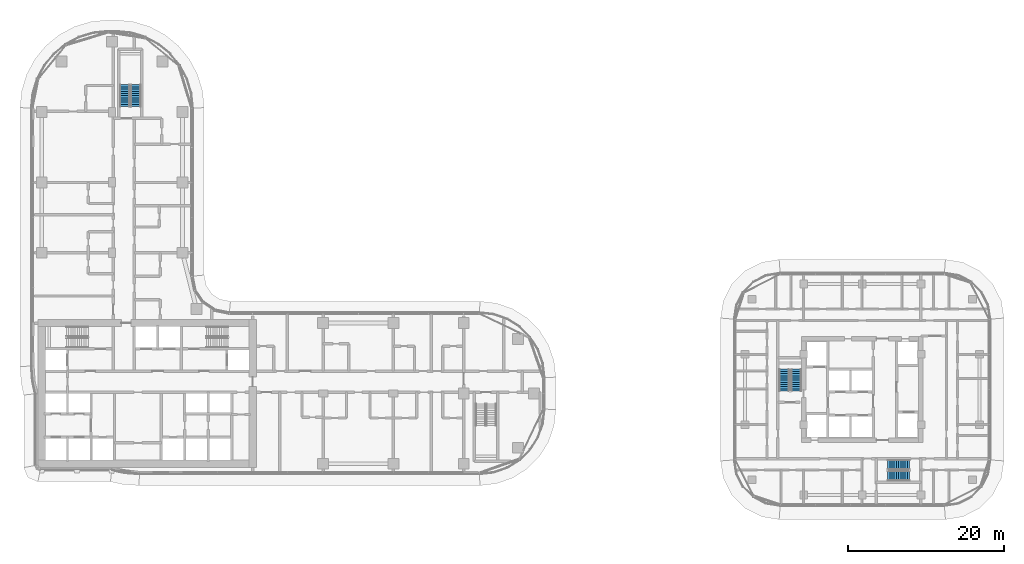
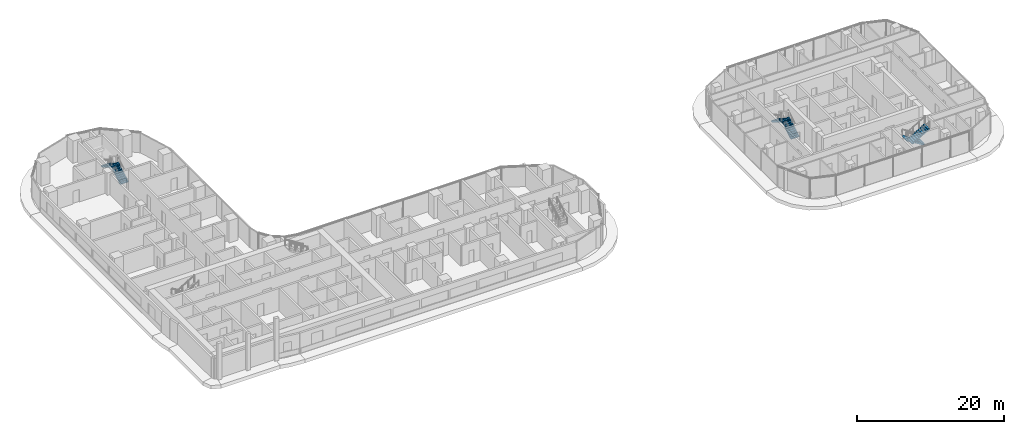
# One storey, part 30 of 39: 6 stair flights, 3 elements without a shape of their own.
"""IFC4 building model written with IfcOpenShell, lengths in metres."""

from ifc_helpers import new_model, si_unit, direction, frame, origin, place, context, subcontext, project, spatial, triangles, source, transform, mapped, material, type_object, element, aggregate, save


model = new_model("IFC4")

# Units and contexts
model_context = context("Model", 3, precision=1e-05, world=origin(), true_north=direction((0.0, 1.0)))
body_context = subcontext(model_context, "Body", "Model", "MODEL_VIEW")
ifc_project = project(units=[si_unit("LENGTHUNIT", "METRE"), si_unit("AREAUNIT", "SQUARE_METRE"), si_unit("VOLUMEUNIT", "CUBIC_METRE"), si_unit("PLANEANGLEUNIT", "RADIAN"), si_unit("MASSUNIT", "GRAM", prefix="KILO")], contexts=[model_context])

# Site, building, storey
site_placement = place(None, origin())
site = spatial("IfcSite", under=ifc_project, at=site_placement, CompositionType="ELEMENT")
building_placement = place(site_placement, origin())
building = spatial("IfcBuilding", under=site, at=building_placement, Name="Ogive Portal Towers", CompositionType="ELEMENT")
storey_placement = place(building_placement, frame((0.0, 0.0, 44.60009765625)))
storey = spatial("IfcBuildingStorey", under=building, at=storey_placement, Name="L09", CompositionType="ELEMENT", Elevation=44.60009765625)

# Stair, stair flights
ifc_material = material(Name="Concrete C40/50", Category="concrete")
stair_type = type_object("IfcStairType", Name="INT-STAIR", PredefinedType="HALF_TURN_STAIR", material=ifc_material)
stair_1_placement = place(storey_placement, origin())
stair_1 = element("IfcStair", 1, at=stair_1_placement, inside=storey, type_object=stair_type, Name="L09 Exit Stair ST-A3", PredefinedType="HALF_TURN_STAIR")
stair_flight_type = type_object("IfcStairFlightType", Name="INT-FLIGHT", PredefinedType="STRAIGHT", material=ifc_material)
shared_shape = source(origin(), body_context, "Body", "Tessellation", [
    triangles([(0.0, -0.650146484375, 0.0), (0.0, -0.376220703125, 0.0), (0.0, -0.192626953125, 0.0), (0.0, -0.081298828125, 0.0), (0.0, -0.024169921875, 0.0), (0.0, -0.003173828125, 0.0), (0.0, 0.0, 0.0), (0.0, 0.0029296875, 0.0), (0.0, 0.02392578125, 0.0), (0.0, 0.0810546875, 0.0), (0.0, 0.1923828125, 0.0), (0.0, 0.3759765625, 0.0), (0.0, 0.64990234375, 0.0), (0.0, -0.650146484375, 0.168212890625), (0.0, -0.376220703125, 0.168212890625), (0.0, -0.192626953125, 0.168212890625), (0.0, -0.081298828125, 0.168212890625), (0.0, -0.024169921875, 0.168212890625), (0.0, -0.003173828125, 0.168212890625), (0.0, 0.0, 0.168212890625), (0.0, 0.0029296875, 0.168212890625), (0.0, 0.02392578125, 0.168212890625), (0.0, 0.0810546875, 0.168212890625), (0.0, 0.1923828125, 0.168212890625), (0.0, 0.3759765625, 0.168212890625), (0.0, 0.64990234375, 0.168212890625), (0.280029296875, -0.650146484375, 0.168212890625), (0.280029296875, -0.376220703125, 0.168212890625), (0.280029296875, -0.192626953125, 0.168212890625), (0.280029296875, -0.081298828125, 0.168212890625), (0.280029296875, -0.024169921875, 0.168212890625), (0.280029296875, -0.003173828125, 0.168212890625), (0.280029296875, 0.0, 0.168212890625), (0.280029296875, 0.0029296875, 0.168212890625), (0.280029296875, 0.02392578125, 0.168212890625), (0.280029296875, 0.0810546875, 0.168212890625), (0.280029296875, 0.1923828125, 0.168212890625), (0.280029296875, 0.3759765625, 0.168212890625), (0.280029296875, 0.64990234375, 0.168212890625), (0.280029296875, -0.650146484375, 0.33642578125), (0.280029296875, -0.376220703125, 0.33642578125), (0.280029296875, -0.192626953125, 0.33642578125), (0.280029296875, -0.081298828125, 0.33642578125), (0.280029296875, -0.024169921875, 0.33642578125), (0.280029296875, -0.003173828125, 0.33642578125), (0.280029296875, 0.0, 0.33642578125), (0.280029296875, 0.0029296875, 0.33642578125), (0.280029296875, 0.02392578125, 0.33642578125), (0.280029296875, 0.0810546875, 0.33642578125), (0.280029296875, 0.1923828125, 0.33642578125), (0.280029296875, 0.3759765625, 0.33642578125), (0.280029296875, 0.64990234375, 0.33642578125), (0.56005859375, -0.650146484375, 0.33642578125), (0.56005859375, -0.376220703125, 0.33642578125), (0.56005859375, -0.192626953125, 0.33642578125), (0.56005859375, -0.081298828125, 0.33642578125), (0.56005859375, -0.024169921875, 0.33642578125), (0.56005859375, -0.003173828125, 0.33642578125), (0.56005859375, 0.0, 0.33642578125), (0.56005859375, 0.0029296875, 0.33642578125), (0.56005859375, 0.02392578125, 0.33642578125), (0.56005859375, 0.0810546875, 0.33642578125), (0.56005859375, 0.1923828125, 0.33642578125), (0.56005859375, 0.3759765625, 0.33642578125), (0.56005859375, 0.64990234375, 0.33642578125), (0.56005859375, -0.650146484375, 0.504638671875), (0.56005859375, -0.376220703125, 0.504638671875), (0.56005859375, -0.192626953125, 0.504638671875), (0.56005859375, -0.081298828125, 0.504638671875), (0.56005859375, -0.024169921875, 0.504638671875), (0.56005859375, -0.003173828125, 0.504638671875), (0.56005859375, 0.0, 0.504638671875), (0.56005859375, 0.0029296875, 0.504638671875), (0.56005859375, 0.02392578125, 0.504638671875), (0.56005859375, 0.0810546875, 0.504638671875), (0.56005859375, 0.1923828125, 0.504638671875), (0.56005859375, 0.3759765625, 0.504638671875), (0.56005859375, 0.64990234375, 0.504638671875), (0.840087890625, -0.650146484375, 0.504638671875), (0.840087890625, -0.376220703125, 0.504638671875), (0.840087890625, -0.192626953125, 0.504638671875), (0.840087890625, -0.081298828125, 0.504638671875), (0.840087890625, -0.024169921875, 0.504638671875), (0.840087890625, -0.003173828125, 0.504638671875), (0.840087890625, 0.0, 0.504638671875), (0.840087890625, 0.0029296875, 0.504638671875), (0.840087890625, 0.02392578125, 0.504638671875), (0.840087890625, 0.0810546875, 0.504638671875), (0.840087890625, 0.1923828125, 0.504638671875), (0.840087890625, 0.3759765625, 0.504638671875), (0.840087890625, 0.64990234375, 0.504638671875), (0.840087890625, -0.650146484375, 0.672607421875), (0.840087890625, -0.376220703125, 0.672607421875), (0.840087890625, -0.192626953125, 0.672607421875), (0.840087890625, -0.081298828125, 0.672607421875), (0.840087890625, -0.024169921875, 0.672607421875), (0.840087890625, -0.003173828125, 0.672607421875), (0.840087890625, 0.0, 0.672607421875), (0.840087890625, 0.0029296875, 0.672607421875), (0.840087890625, 0.02392578125, 0.672607421875), (0.840087890625, 0.0810546875, 0.672607421875), (0.840087890625, 0.1923828125, 0.672607421875), (0.840087890625, 0.3759765625, 0.672607421875), (0.840087890625, 0.64990234375, 0.672607421875), (1.1201171875, -0.650146484375, 0.672607421875), (1.1201171875, -0.376220703125, 0.672607421875), (1.1201171875, -0.192626953125, 0.672607421875), (1.1201171875, -0.081298828125, 0.672607421875), (1.1201171875, -0.024169921875, 0.672607421875), (1.1201171875, -0.003173828125, 0.672607421875), (1.1201171875, 0.0, 0.672607421875), (1.1201171875, 0.0029296875, 0.672607421875), (1.1201171875, 0.02392578125, 0.672607421875), (1.1201171875, 0.0810546875, 0.672607421875), (1.1201171875, 0.1923828125, 0.672607421875), (1.1201171875, 0.3759765625, 0.672607421875), (1.1201171875, 0.64990234375, 0.672607421875), (1.1201171875, -0.650146484375, 0.8408203125), (1.1201171875, -0.376220703125, 0.8408203125), (1.1201171875, -0.192626953125, 0.8408203125), (1.1201171875, -0.081298828125, 0.8408203125), (1.1201171875, -0.024169921875, 0.8408203125), (1.1201171875, -0.003173828125, 0.8408203125), (1.1201171875, 0.0, 0.8408203125), (1.1201171875, 0.0029296875, 0.8408203125), (1.1201171875, 0.02392578125, 0.8408203125), (1.1201171875, 0.0810546875, 0.8408203125), (1.1201171875, 0.1923828125, 0.8408203125), (1.1201171875, 0.3759765625, 0.8408203125), (1.1201171875, 0.64990234375, 0.8408203125), (1.39990234375, -0.650146484375, 0.8408203125), (1.39990234375, -0.376220703125, 0.8408203125), (1.39990234375, -0.192626953125, 0.8408203125), (1.39990234375, -0.081298828125, 0.8408203125), (1.39990234375, -0.024169921875, 0.8408203125), (1.39990234375, -0.003173828125, 0.8408203125), (1.39990234375, 0.0, 0.8408203125), (1.39990234375, 0.0029296875, 0.8408203125), (1.39990234375, 0.02392578125, 0.8408203125), (1.39990234375, 0.0810546875, 0.8408203125), (1.39990234375, 0.1923828125, 0.8408203125), (1.39990234375, 0.3759765625, 0.8408203125), (1.39990234375, 0.64990234375, 0.8408203125), (1.39990234375, -0.650146484375, 1.009033203125), (1.39990234375, -0.376220703125, 1.009033203125), (1.39990234375, -0.192626953125, 1.009033203125), (1.39990234375, -0.081298828125, 1.009033203125), (1.39990234375, -0.024169921875, 1.009033203125), (1.39990234375, -0.003173828125, 1.009033203125), (1.39990234375, 0.0, 1.009033203125), (1.39990234375, 0.0029296875, 1.009033203125), (1.39990234375, 0.02392578125, 1.009033203125), (1.39990234375, 0.0810546875, 1.009033203125), (1.39990234375, 0.1923828125, 1.009033203125), (1.39990234375, 0.3759765625, 1.009033203125), (1.39990234375, 0.64990234375, 1.009033203125), (1.679931640625, -0.650146484375, 1.009033203125), (1.679931640625, -0.376220703125, 1.009033203125), (1.679931640625, -0.192626953125, 1.009033203125), (1.679931640625, -0.081298828125, 1.009033203125), (1.679931640625, -0.024169921875, 1.009033203125), (1.679931640625, -0.003173828125, 1.009033203125), (1.679931640625, 0.0, 1.009033203125), (1.679931640625, 0.0029296875, 1.009033203125), (1.679931640625, 0.02392578125, 1.009033203125), (1.679931640625, 0.0810546875, 1.009033203125), (1.679931640625, 0.1923828125, 1.009033203125), (1.679931640625, 0.3759765625, 1.009033203125), (1.679931640625, 0.64990234375, 1.009033203125), (1.679931640625, -0.650146484375, 1.17724609375), (1.679931640625, -0.376220703125, 1.17724609375), (1.679931640625, -0.192626953125, 1.17724609375), (1.679931640625, -0.081298828125, 1.17724609375), (1.679931640625, -0.024169921875, 1.17724609375), (1.679931640625, -0.003173828125, 1.17724609375), (1.679931640625, 0.0, 1.17724609375), (1.679931640625, 0.0029296875, 1.17724609375), (1.679931640625, 0.02392578125, 1.17724609375), (1.679931640625, 0.0810546875, 1.17724609375), (1.679931640625, 0.1923828125, 1.17724609375), (1.679931640625, 0.3759765625, 1.17724609375), (1.679931640625, 0.64990234375, 1.17724609375), (1.9599609375, -0.650146484375, 1.17724609375), (1.9599609375, -0.376220703125, 1.17724609375), (1.9599609375, -0.192626953125, 1.17724609375), (1.9599609375, -0.081298828125, 1.17724609375), (1.9599609375, -0.024169921875, 1.17724609375), (1.9599609375, -0.003173828125, 1.17724609375), (1.9599609375, 0.0, 1.17724609375), (1.9599609375, 0.0029296875, 1.17724609375), (1.9599609375, 0.02392578125, 1.17724609375), (1.9599609375, 0.0810546875, 1.17724609375), (1.9599609375, 0.1923828125, 1.17724609375), (1.9599609375, 0.3759765625, 1.17724609375), (1.9599609375, 0.64990234375, 1.17724609375), (1.9599609375, -0.650146484375, 1.345458984375), (1.9599609375, -0.376220703125, 1.345458984375), (1.9599609375, -0.192626953125, 1.345458984375), (1.9599609375, -0.081298828125, 1.345458984375), (1.9599609375, -0.024169921875, 1.345458984375), (1.9599609375, -0.003173828125, 1.345458984375), (1.9599609375, 0.0, 1.345458984375), (1.9599609375, 0.0029296875, 1.345458984375), (1.9599609375, 0.02392578125, 1.345458984375), (1.9599609375, 0.0810546875, 1.345458984375), (1.9599609375, 0.1923828125, 1.345458984375), (1.9599609375, 0.3759765625, 1.345458984375), (1.9599609375, 0.64990234375, 1.345458984375), (2.239990234375, -0.650146484375, 1.345458984375), (2.239990234375, -0.376220703125, 1.345458984375), (2.239990234375, -0.192626953125, 1.345458984375), (2.239990234375, -0.081298828125, 1.345458984375), (2.239990234375, -0.024169921875, 1.345458984375), (2.239990234375, -0.003173828125, 1.345458984375), (2.239990234375, 0.0, 1.345458984375), (2.239990234375, 0.0029296875, 1.345458984375), (2.239990234375, 0.02392578125, 1.345458984375), (2.239990234375, 0.0810546875, 1.345458984375), (2.239990234375, 0.1923828125, 1.345458984375), (2.239990234375, 0.3759765625, 1.345458984375), (2.239990234375, 0.64990234375, 1.345458984375), (2.239990234375, -0.650146484375, 1.513671875), (2.239990234375, -0.376220703125, 1.513671875), (2.239990234375, -0.192626953125, 1.513671875), (2.239990234375, -0.081298828125, 1.513671875), (2.239990234375, -0.024169921875, 1.513671875), (2.239990234375, -0.003173828125, 1.513671875), (2.239990234375, 0.0, 1.513671875), (2.239990234375, 0.0029296875, 1.513671875), (2.239990234375, 0.02392578125, 1.513671875), (2.239990234375, 0.0810546875, 1.513671875), (2.239990234375, 0.1923828125, 1.513671875), (2.239990234375, 0.3759765625, 1.513671875), (2.239990234375, 0.64990234375, 1.513671875), (2.52001953125, -0.650146484375, 1.513671875), (2.52001953125, -0.376220703125, 1.513671875), (2.52001953125, -0.192626953125, 1.513671875), (2.52001953125, -0.081298828125, 1.513671875), (2.52001953125, -0.024169921875, 1.513671875), (2.52001953125, -0.003173828125, 1.513671875), (2.52001953125, 0.0, 1.513671875), (2.52001953125, 0.0029296875, 1.513671875), (2.52001953125, 0.02392578125, 1.513671875), (2.52001953125, 0.0810546875, 1.513671875), (2.52001953125, 0.1923828125, 1.513671875), (2.52001953125, 0.3759765625, 1.513671875), (2.52001953125, 0.64990234375, 1.513671875), (2.52001953125, -0.650146484375, 1.681884765625), (2.52001953125, -0.376220703125, 1.681884765625), (2.52001953125, -0.192626953125, 1.681884765625), (2.52001953125, -0.081298828125, 1.681884765625), (2.52001953125, -0.024169921875, 1.681884765625), (2.52001953125, -0.003173828125, 1.681884765625), (2.52001953125, 0.0, 1.681884765625), (2.52001953125, 0.0029296875, 1.681884765625), (2.52001953125, 0.02392578125, 1.681884765625), (2.52001953125, 0.0810546875, 1.681884765625), (2.52001953125, 0.1923828125, 1.681884765625), (2.52001953125, 0.3759765625, 1.681884765625), (2.52001953125, 0.64990234375, 1.681884765625), (2.800048828125, -0.650146484375, 1.681884765625), (2.800048828125, -0.376220703125, 1.681884765625), (2.800048828125, -0.192626953125, 1.681884765625), (2.800048828125, -0.081298828125, 1.681884765625), (2.800048828125, -0.024169921875, 1.681884765625), (2.800048828125, -0.003173828125, 1.681884765625), (2.800048828125, 0.0, 1.681884765625), (2.800048828125, 0.0029296875, 1.681884765625), (2.800048828125, 0.02392578125, 1.681884765625), (2.800048828125, 0.0810546875, 1.681884765625), (2.800048828125, 0.1923828125, 1.681884765625), (2.800048828125, 0.3759765625, 1.681884765625), (2.800048828125, 0.64990234375, 1.681884765625), (2.800048828125, -0.650146484375, 1.5068359375), (2.800048828125, -0.376220703125, 1.5068359375), (2.800048828125, -0.192626953125, 1.5068359375), (2.800048828125, -0.081298828125, 1.5068359375), (2.800048828125, -0.024169921875, 1.5068359375), (2.800048828125, -0.003173828125, 1.5068359375), (2.800048828125, 0.0, 1.5068359375), (2.800048828125, 0.0029296875, 1.5068359375), (2.800048828125, 0.02392578125, 1.5068359375), (2.800048828125, 0.0810546875, 1.5068359375), (2.800048828125, 0.1923828125, 1.5068359375), (2.800048828125, 0.3759765625, 1.5068359375), (2.800048828125, 0.64990234375, 1.5068359375), (0.291015625, -0.650146484375, 0.0), (0.291015625, -0.376220703125, 0.0), (0.291015625, -0.192626953125, 0.0), (0.291015625, -0.081298828125, 0.0), (0.291015625, -0.024169921875, 0.0), (0.291015625, -0.003173828125, 0.0), (0.291015625, 0.0, 0.0), (0.291015625, 0.0029296875, 0.0), (0.291015625, 0.02392578125, 0.0), (0.291015625, 0.0810546875, 0.0), (0.291015625, 0.1923828125, 0.0), (0.291015625, 0.3759765625, 0.0), (0.291015625, 0.64990234375, 0.0)], [[1, 14, 15], [1, 15, 2], [2, 15, 16], [2, 16, 3], [3, 16, 17], [3, 17, 4], [4, 17, 18], [4, 18, 5], [5, 18, 19], [5, 19, 6], [6, 19, 20], [6, 20, 7], [7, 20, 21], [7, 21, 8], [8, 21, 22], [8, 22, 9], [9, 22, 23], [9, 23, 10], [10, 23, 24], [10, 24, 11], [11, 24, 25], [11, 25, 12], [12, 25, 26], [12, 26, 13], [14, 27, 28], [14, 28, 15], [15, 28, 29], [15, 29, 16], [16, 29, 30], [16, 30, 17], [17, 30, 31], [17, 31, 18], [18, 31, 32], [18, 32, 19], [19, 32, 33], [19, 33, 20], [20, 33, 34], [20, 34, 21], [21, 34, 35], [21, 35, 22], [22, 35, 36], [22, 36, 23], [23, 36, 37], [23, 37, 24], [24, 37, 38], [24, 38, 25], [25, 38, 39], [25, 39, 26], [27, 40, 41], [27, 41, 28], [28, 41, 42], [28, 42, 29], [29, 42, 43], [29, 43, 30], [30, 43, 44], [30, 44, 31], [31, 44, 45], [31, 45, 32], [32, 45, 46], [32, 46, 33], [33, 46, 47], [33, 47, 34], [34, 47, 48], [34, 48, 35], [35, 48, 49], [35, 49, 36], [36, 49, 50], [36, 50, 37], [37, 50, 51], [37, 51, 38], [38, 51, 52], [38, 52, 39], [40, 53, 54], [40, 54, 41], [41, 54, 55], [41, 55, 42], [42, 55, 56], [42, 56, 43], [43, 56, 57], [43, 57, 44], [44, 57, 58], [44, 58, 45], [45, 58, 59], [45, 59, 46], [46, 59, 60], [46, 60, 47], [47, 60, 61], [47, 61, 48], [48, 61, 62], [48, 62, 49], [49, 62, 63], [49, 63, 50], [50, 63, 64], [50, 64, 51], [51, 64, 65], [51, 65, 52], [53, 66, 67], [53, 67, 54], [54, 67, 68], [54, 68, 55], [55, 68, 69], [55, 69, 56], [56, 69, 70], [56, 70, 57], [57, 70, 71], [57, 71, 58], [58, 71, 72], [58, 72, 59], [59, 72, 73], [59, 73, 60], [60, 73, 74], [60, 74, 61], [61, 74, 75], [61, 75, 62], [62, 75, 76], [62, 76, 63], [63, 76, 77], [63, 77, 64], [64, 77, 78], [64, 78, 65], [66, 79, 80], [66, 80, 67], [67, 80, 81], [67, 81, 68], [68, 81, 82], [68, 82, 69], [69, 82, 83], [69, 83, 70], [70, 83, 84], [70, 84, 71], [71, 84, 85], [71, 85, 72], [72, 85, 86], [72, 86, 73], [73, 86, 87], [73, 87, 74], [74, 87, 88], [74, 88, 75], [75, 88, 89], [75, 89, 76], [76, 89, 90], [76, 90, 77], [77, 90, 91], [77, 91, 78], [79, 92, 93], [79, 93, 80], [80, 93, 94], [80, 94, 81], [81, 94, 95], [81, 95, 82], [82, 95, 96], [82, 96, 83], [83, 96, 97], [83, 97, 84], [84, 97, 98], [84, 98, 85], [85, 98, 99], [85, 99, 86], [86, 99, 100], [86, 100, 87], [87, 100, 101], [87, 101, 88], [88, 101, 102], [88, 102, 89], [89, 102, 103], [89, 103, 90], [90, 103, 104], [90, 104, 91], [92, 105, 106], [92, 106, 93], [93, 106, 107], [93, 107, 94], [94, 107, 108], [94, 108, 95], [95, 108, 109], [95, 109, 96], [96, 109, 110], [96, 110, 97], [97, 110, 111], [97, 111, 98], [98, 111, 112], [98, 112, 99], [99, 112, 113], [99, 113, 100], [100, 113, 114], [100, 114, 101], [101, 114, 115], [101, 115, 102], [102, 115, 116], [102, 116, 103], [103, 116, 117], [103, 117, 104], [105, 118, 119], [105, 119, 106], [106, 119, 120], [106, 120, 107], [107, 120, 121], [107, 121, 108], [108, 121, 122], [108, 122, 109], [109, 122, 123], [109, 123, 110], [110, 123, 124], [110, 124, 111], [111, 124, 125], [111, 125, 112], [112, 125, 126], [112, 126, 113], [113, 126, 127], [113, 127, 114], [114, 127, 128], [114, 128, 115], [115, 128, 129], [115, 129, 116], [116, 129, 130], [116, 130, 117], [118, 131, 132], [118, 132, 119], [119, 132, 133], [119, 133, 120], [120, 133, 134], [120, 134, 121], [121, 134, 135], [121, 135, 122], [122, 135, 136], [122, 136, 123], [123, 136, 137], [123, 137, 124], [124, 137, 138], [124, 138, 125], [125, 138, 139], [125, 139, 126], [126, 139, 140], [126, 140, 127], [127, 140, 141], [127, 141, 128], [128, 141, 142], [128, 142, 129], [129, 142, 143], [129, 143, 130], [131, 144, 145], [131, 145, 132], [132, 145, 146], [132, 146, 133], [133, 146, 147], [133, 147, 134], [134, 147, 148], [134, 148, 135], [135, 148, 149], [135, 149, 136], [136, 149, 150], [136, 150, 137], [137, 150, 151], [137, 151, 138], [138, 151, 152], [138, 152, 139], [139, 152, 153], [139, 153, 140], [140, 153, 154], [140, 154, 141], [141, 154, 155], [141, 155, 142], [142, 155, 156], [142, 156, 143], [144, 157, 158], [144, 158, 145], [145, 158, 159], [145, 159, 146], [146, 159, 160], [146, 160, 147], [147, 160, 161], [147, 161, 148], [148, 161, 162], [148, 162, 149], [149, 162, 163], [149, 163, 150], [150, 163, 164], [150, 164, 151], [151, 164, 165], [151, 165, 152], [152, 165, 166], [152, 166, 153], [153, 166, 167], [153, 167, 154], [154, 167, 168], [154, 168, 155], [155, 168, 169], [155, 169, 156], [157, 170, 171], [157, 171, 158], [158, 171, 172], [158, 172, 159], [159, 172, 173], [159, 173, 160], [160, 173, 174], [160, 174, 161], [161, 174, 175], [161, 175, 162], [162, 175, 176], [162, 176, 163], [163, 176, 177], [163, 177, 164], [164, 177, 178], [164, 178, 165], [165, 178, 179], [165, 179, 166], [166, 179, 180], [166, 180, 167], [167, 180, 181], [167, 181, 168], [168, 181, 182], [168, 182, 169], [170, 183, 184], [170, 184, 171], [171, 184, 185], [171, 185, 172], [172, 185, 186], [172, 186, 173], [173, 186, 187], [173, 187, 174], [174, 187, 188], [174, 188, 175], [175, 188, 189], [175, 189, 176], [176, 189, 190], [176, 190, 177], [177, 190, 191], [177, 191, 178], [178, 191, 192], [178, 192, 179], [179, 192, 193], [179, 193, 180], [180, 193, 194], [180, 194, 181], [181, 194, 195], [181, 195, 182], [183, 196, 197], [183, 197, 184], [184, 197, 198], [184, 198, 185], [185, 198, 199], [185, 199, 186], [186, 199, 200], [186, 200, 187], [187, 200, 201], [187, 201, 188], [188, 201, 202], [188, 202, 189], [189, 202, 203], [189, 203, 190], [190, 203, 204], [190, 204, 191], [191, 204, 205], [191, 205, 192], [192, 205, 206], [192, 206, 193], [193, 206, 207], [193, 207, 194], [194, 207, 208], [194, 208, 195], [196, 209, 210], [196, 210, 197], [197, 210, 211], [197, 211, 198], [198, 211, 212], [198, 212, 199], [199, 212, 213], [199, 213, 200], [200, 213, 214], [200, 214, 201], [201, 214, 215], [201, 215, 202], [202, 215, 216], [202, 216, 203], [203, 216, 217], [203, 217, 204], [204, 217, 218], [204, 218, 205], [205, 218, 219], [205, 219, 206], [206, 219, 220], [206, 220, 207], [207, 220, 221], [207, 221, 208], [209, 222, 223], [209, 223, 210], [210, 223, 224], [210, 224, 211], [211, 224, 225], [211, 225, 212], [212, 225, 226], [212, 226, 213], [213, 226, 227], [213, 227, 214], [214, 227, 228], [214, 228, 215], [215, 228, 229], [215, 229, 216], [216, 229, 230], [216, 230, 217], [217, 230, 231], [217, 231, 218], [218, 231, 232], [218, 232, 219], [219, 232, 233], [219, 233, 220], [220, 233, 234], [220, 234, 221], [222, 235, 236], [222, 236, 223], [223, 236, 237], [223, 237, 224], [224, 237, 238], [224, 238, 225], [225, 238, 239], [225, 239, 226], [226, 239, 240], [226, 240, 227], [227, 240, 241], [227, 241, 228], [228, 241, 242], [228, 242, 229], [229, 242, 243], [229, 243, 230], [230, 243, 244], [230, 244, 231], [231, 244, 245], [231, 245, 232], [232, 245, 246], [232, 246, 233], [233, 246, 247], [233, 247, 234], [235, 248, 249], [235, 249, 236], [236, 249, 250], [236, 250, 237], [237, 250, 251], [237, 251, 238], [238, 251, 252], [238, 252, 239], [239, 252, 253], [239, 253, 240], [240, 253, 254], [240, 254, 241], [241, 254, 255], [241, 255, 242], [242, 255, 256], [242, 256, 243], [243, 256, 257], [243, 257, 244], [244, 257, 258], [244, 258, 245], [245, 258, 259], [245, 259, 246], [246, 259, 260], [246, 260, 247], [248, 261, 262], [248, 262, 249], [249, 262, 263], [249, 263, 250], [250, 263, 264], [250, 264, 251], [251, 264, 265], [251, 265, 252], [252, 265, 266], [252, 266, 253], [253, 266, 267], [253, 267, 254], [254, 267, 268], [254, 268, 255], [255, 268, 269], [255, 269, 256], [256, 269, 270], [256, 270, 257], [257, 270, 271], [257, 271, 258], [258, 271, 272], [258, 272, 259], [259, 272, 273], [259, 273, 260], [261, 274, 275], [261, 275, 262], [262, 275, 276], [262, 276, 263], [263, 276, 277], [263, 277, 264], [264, 277, 278], [264, 278, 265], [265, 278, 279], [265, 279, 266], [266, 279, 280], [266, 280, 267], [267, 280, 281], [267, 281, 268], [268, 281, 282], [268, 282, 269], [269, 282, 283], [269, 283, 270], [270, 283, 284], [270, 284, 271], [271, 284, 285], [271, 285, 272], [272, 285, 286], [272, 286, 273], [274, 287, 288], [274, 288, 275], [275, 288, 289], [275, 289, 276], [276, 289, 290], [276, 290, 277], [277, 290, 291], [277, 291, 278], [278, 291, 292], [278, 292, 279], [279, 292, 293], [279, 293, 280], [280, 293, 294], [280, 294, 281], [281, 294, 295], [281, 295, 282], [282, 295, 296], [282, 296, 283], [283, 296, 297], [283, 297, 284], [284, 297, 298], [284, 298, 285], [285, 298, 299], [285, 299, 286], [287, 1, 2], [287, 2, 288], [288, 2, 3], [288, 3, 289], [289, 3, 4], [289, 4, 290], [290, 4, 5], [290, 5, 291], [291, 5, 6], [291, 6, 292], [292, 6, 7], [292, 7, 293], [293, 7, 8], [293, 8, 294], [294, 8, 9], [294, 9, 295], [295, 9, 10], [295, 10, 296], [296, 10, 11], [296, 11, 297], [297, 11, 12], [297, 12, 298], [298, 12, 13], [298, 13, 299], [1, 287, 274], [13, 286, 299], [274, 261, 248], [286, 260, 273], [274, 248, 235], [286, 247, 260], [274, 235, 222], [286, 234, 247], [274, 222, 209], [286, 221, 234], [209, 196, 183], [221, 195, 208], [274, 209, 183], [286, 195, 221], [183, 170, 157], [195, 169, 182], [274, 183, 157], [286, 169, 195], [157, 144, 131], [169, 143, 156], [274, 157, 131], [286, 143, 169], [131, 118, 105], [143, 117, 130], [274, 131, 105], [286, 117, 143], [1, 274, 105], [13, 117, 286], [105, 92, 79], [117, 91, 104], [79, 66, 53], [91, 65, 78], [105, 79, 53], [117, 65, 91], [53, 40, 27], [65, 39, 52], [105, 53, 27], [117, 39, 65], [1, 105, 27], [13, 39, 117], [27, 14, 1], [39, 13, 26]], closed=True),
])
stair_flight_1_placement = place(storey_placement, frame((43.550048828125, 67.199951171875, 0.0), z_axis=(0.0, 0.0, 1.0), x_axis=(0.0, 1.0, 0.0)))
stair_flight_1 = element("IfcStairFlight", 2, at=stair_flight_1_placement, type_object=stair_flight_type, Name="ST-A3 flight 1", NumberOfRisers=11, NumberOfTreads=10, PredefinedType="STRAIGHT", RiserHeight=0.168181818, TreadLength=0.28, context=body_context, shape_type="MappedRepresentation", body=[
    mapped(shared_shape, transform((0.0, 0.0, 0.0), scale=1.0)),
])
stair_flight_2_placement = place(storey_placement, frame((42.14990234375, 70.0, 1.849853515625), z_axis=(0.0, 0.0, 1.0), x_axis=(0.0, -1.0, 0.0)))
stair_flight_2 = element("IfcStairFlight", 3, at=stair_flight_2_placement, type_object=stair_flight_type, Name="ST-A3 flight 2", NumberOfRisers=11, NumberOfTreads=10, PredefinedType="STRAIGHT", RiserHeight=0.168181818, TreadLength=0.28, context=body_context, shape_type="MappedRepresentation", body=[
    mapped(shared_shape, transform((0.0, 0.0, 0.0), scale=1.0)),
])
aggregate(stair_1, [stair_flight_1, stair_flight_2])

stair_2_placement = place(storey_placement, origin())
stair_2 = element("IfcStair", 4, at=stair_2_placement, inside=storey, type_object=stair_type, Name="L09 Exit Stair ST-B1", PredefinedType="HALF_TURN_STAIR")
stair_flight_3_placement = place(storey_placement, frame((128.050048828125, 30.800048828125, 0.0), z_axis=(0.0, 0.0, 1.0), x_axis=(0.0, 1.0, 0.0)))
stair_flight_3 = element("IfcStairFlight", 5, at=stair_flight_3_placement, type_object=stair_flight_type, Name="ST-B1 flight 1", NumberOfRisers=11, NumberOfTreads=10, PredefinedType="STRAIGHT", RiserHeight=0.168181818, TreadLength=0.28, context=body_context, shape_type="MappedRepresentation", body=[
    mapped(shared_shape, transform((0.0, 0.0, 0.0), scale=1.0)),
])
stair_flight_4_placement = place(storey_placement, frame((126.5, 33.60009765625, 1.849853515625), z_axis=(0.0, 0.0, 1.0), x_axis=(0.0, -1.0, 0.0)))
stair_flight_4 = element("IfcStairFlight", 6, at=stair_flight_4_placement, type_object=stair_flight_type, Name="ST-B1 flight 2", NumberOfRisers=11, NumberOfTreads=10, PredefinedType="STRAIGHT", RiserHeight=0.168181818, TreadLength=0.28, context=body_context, shape_type="MappedRepresentation", body=[
    mapped(shared_shape, transform((0.0, 0.0, 0.0), scale=1.0)),
])
aggregate(stair_2, [stair_flight_3, stair_flight_4])

stair_3_placement = place(storey_placement, origin())
stair_3 = element("IfcStair", 7, at=stair_3_placement, inside=storey, type_object=stair_type, Name="L09 Exit Stair ST-B2", PredefinedType="HALF_TURN_STAIR")
stair_flight_5_placement = place(storey_placement, frame((142.550048828125, 21.35009765625, 0.0), z_axis=(0.0, 0.0, 1.0), x_axis=(-1.0, 0.0, 0.0)))
stair_flight_5 = element("IfcStairFlight", 8, at=stair_flight_5_placement, type_object=stair_flight_type, Name="ST-B2 flight 1", NumberOfRisers=11, NumberOfTreads=10, PredefinedType="STRAIGHT", RiserHeight=0.168181818, TreadLength=0.28, context=body_context, shape_type="MappedRepresentation", body=[
    mapped(shared_shape, transform((0.0, 0.0, 0.0), scale=1.0)),
])
stair_flight_6_placement = place(storey_placement, frame((139.75, 19.949951171875, 1.849853515625), z_axis=(0.0, 0.0, 1.0), x_axis=(1.0, 0.0, 0.0)))
stair_flight_6 = element("IfcStairFlight", 9, at=stair_flight_6_placement, type_object=stair_flight_type, Name="ST-B2 flight 2", NumberOfRisers=11, NumberOfTreads=10, PredefinedType="STRAIGHT", RiserHeight=0.168181818, TreadLength=0.28, context=body_context, shape_type="MappedRepresentation", body=[
    mapped(shared_shape, transform((0.0, 0.0, 0.0), scale=1.0)),
])
aggregate(stair_3, [stair_flight_5, stair_flight_6])

save(model, "model.ifc")
